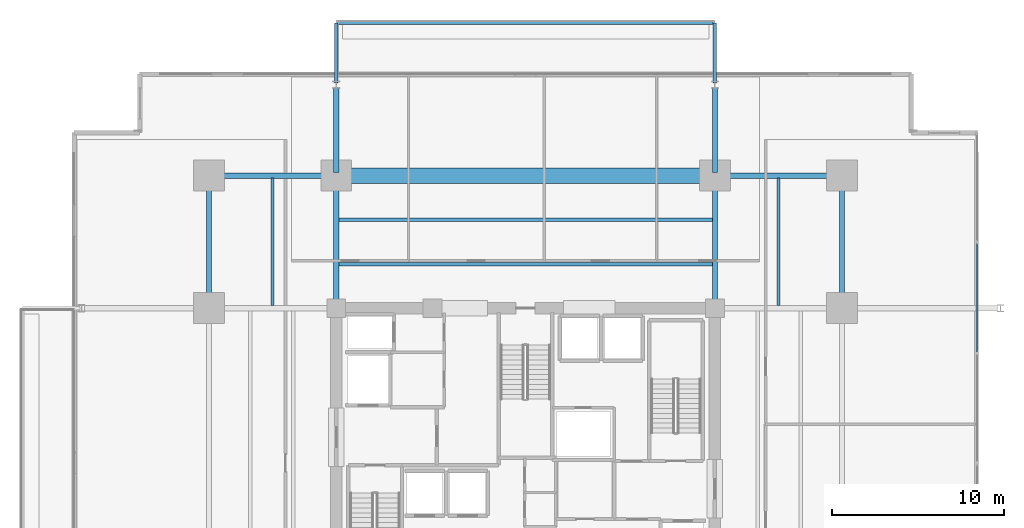
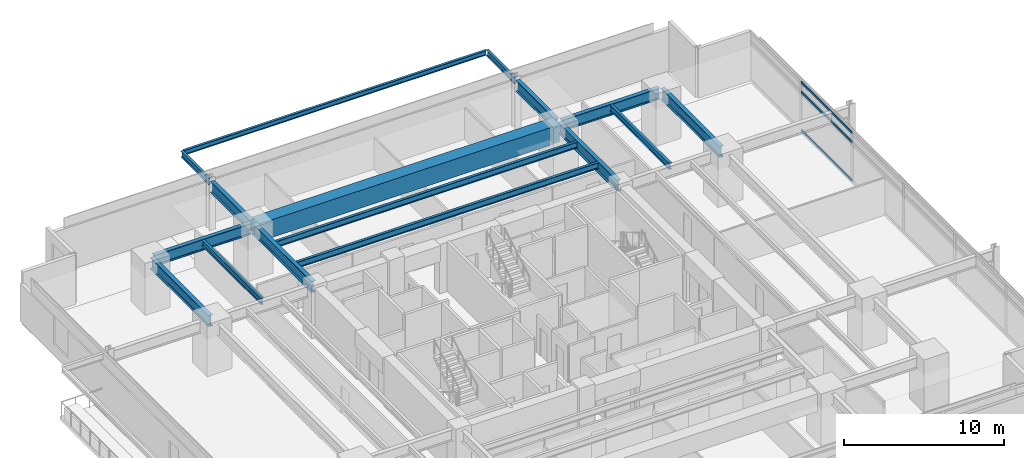
# One storey, part 10 of 22: 16 beams, 3 members, 1 element without a shape of its own.
"""IFC4 building model written with IfcOpenShell, lengths in metres."""

from ifc_helpers import new_model, si_unit, direction, frame, origin, origin_2d, place, context, subcontext, project, spatial, rectangle, hollow_rectangle, i_section, extrude, material, material_profile, profile_set, type_object, element, aggregate, save


model = new_model("IFC4")

# Units and contexts
model_context = context("Model", 3, precision=1e-05, world=origin(), true_north=direction((0.0, 1.0)))
body_context = subcontext(model_context, "Body", "Model", "MODEL_VIEW")
ifc_project = project(units=[si_unit("LENGTHUNIT", "METRE"), si_unit("AREAUNIT", "SQUARE_METRE"), si_unit("VOLUMEUNIT", "CUBIC_METRE"), si_unit("PLANEANGLEUNIT", "RADIAN"), si_unit("MASSUNIT", "GRAM", prefix="KILO")], contexts=[model_context])

# Site, building, storey
site_placement = place(None, origin())
site = spatial("IfcSite", under=ifc_project, at=site_placement, CompositionType="ELEMENT")
building_placement = place(site_placement, origin())
building = spatial("IfcBuilding", under=site, at=building_placement, Name="Kovane Verandah Tower", CompositionType="ELEMENT")
storey_placement = place(building_placement, frame((0.0, 0.0, 79.60009765625)))
storey = spatial("IfcBuildingStorey", under=building, at=storey_placement, Name="L18", CompositionType="ELEMENT", Elevation=79.60009765625)

# Beams
ifc_material_1 = material(Name="Concrete C80/95", Category="concrete")
ifc_material_profile_1 = material_profile(ifc_material_1, rectangle(XDim=0.89990234375, YDim=1.35009765625, at=origin_2d()), Name="RCB900x1350")
ifc_profile_set_1 = profile_set([ifc_material_profile_1], Name="Concrete C80/95")
beam_type_1 = type_object("IfcBeamType", Name="BM-TR-900x1350", PredefinedType="BEAM", material=ifc_profile_set_1)
beam_1_placement = place(storey_placement, frame((29.179931640625, 44.199951171875, 3.0849609375), z_axis=(1.0, 0.0, 0.0), x_axis=(0.0, 1.0, 0.0)))
element("IfcBeam", 1, at=beam_1_placement, inside=storey, type_object=beam_type_1, Name="L18 Primary Tower Girder G-RN2", PredefinedType="BEAM", context=body_context, shape_type="SweptSolid", body=[
    extrude(rectangle(XDim=0.89990234375, YDim=1.35009765625, at=origin_2d()), origin(), (0.0, 0.0, 1.0), 21.64013671875),
])
ifc_material_2 = material(Name="Steel S355", Category="steel")
ifc_material_profile_2 = material_profile(ifc_material_2, i_section(OverallWidth=0.293701171875, OverallDepth=0.850830078125, WebThickness=0.01611328125, FlangeThickness=0.02685546875, FilletRadius=0.017822265625, at=origin_2d()), Name="UB838x292x226")
ifc_profile_set_2 = profile_set([ifc_material_profile_2], Name="Steel S355")
beam_type_2 = type_object("IfcBeamType", Name="BM-UB838x226", PredefinedType="BEAM", material=ifc_profile_set_2)
for number, where, z_axis, x_axis, name in (
    (2, (21.780029296875, 44.199951171875, 3.33447265625), (1.0, 0.0, 0.0), (0.0, 1.0, 0.0), "L18 Primary Tower Girder G-RN1"),
    (3, (51.179931640625, 44.199951171875, 3.33447265625), (1.0, 0.0, 0.0), (0.0, 1.0, 0.0), "L18 Primary Tower Girder G-RN3"),
):
    element("IfcBeam", number, at=place(storey_placement, frame(where, z_axis=z_axis, x_axis=x_axis)), inside=storey, type_object=beam_type_2, Name=name, PredefinedType="BEAM", context=body_context, shape_type="SweptSolid", body=[
        extrude(i_section(OverallWidth=0.293701171875, OverallDepth=0.850830078125, WebThickness=0.01611328125, FlangeThickness=0.02685546875, FilletRadius=0.017822265625, at=origin_2d()), origin(), (0.0, 0.0, 1.0), 7.0400390625),
    ])
for number, where, z_axis, x_axis, name in (
    (4, (21.60009765625, 36.679931640625, 3.33447265625), (0.0, 1.0, 0.0), (-1.0, 0.0, 0.0), "L18 Primary Tower Girder G-RW3"),
    (5, (58.39990234375, 36.679931640625, 3.33447265625), (0.0, 1.0, 0.0), (-1.0, 0.0, 0.0), "L18 Primary Tower Girder G-RE3"),
    (6, (29.0, 36.679931640625, 3.33447265625), (0.0, 1.0, 0.0), (-1.0, 0.0, 0.0), "L18 Primary Tower Girder G-N1"),
    (7, (51.0, 36.679931640625, 3.33447265625), (0.0, 1.0, 0.0), (-1.0, 0.0, 0.0), "L18 Primary Tower Girder G-N2"),
):
    element("IfcBeam", number, at=place(storey_placement, frame(where, z_axis=z_axis, x_axis=x_axis)), inside=storey, type_object=beam_type_2, Name=name, PredefinedType="BEAM", context=body_context, shape_type="SweptSolid", body=[
        extrude(i_section(OverallWidth=0.293701171875, OverallDepth=0.850830078125, WebThickness=0.01611328125, FlangeThickness=0.02685546875, FilletRadius=0.017822265625, at=origin_2d()), origin(), (0.0, 0.0, 1.0), 7.340087890625),
    ])
for number, where, z_axis, x_axis, name in (
    (8, (29.0, 44.3798828125, 3.33447265625), (0.0, 1.0, 0.0), (-1.0, 0.0, 0.0), "L18 Primary Tower Girder G-VN1"),
    (9, (51.0, 44.3798828125, 3.33447265625), (0.0, 1.0, 0.0), (-1.0, 0.0, 0.0), "L18 Primary Tower Girder G-VN2"),
):
    element("IfcBeam", number, at=place(storey_placement, frame(where, z_axis=z_axis, x_axis=x_axis)), inside=storey, type_object=beam_type_2, Name=name, PredefinedType="BEAM", context=body_context, shape_type="SweptSolid", body=[
        extrude(i_section(OverallWidth=0.293701171875, OverallDepth=0.850830078125, WebThickness=0.01611328125, FlangeThickness=0.02685546875, FilletRadius=0.017822265625, at=origin_2d()), origin(), (0.0, 0.0, 1.0), 4.940185546875),
    ])

# Curtain wall, members
ifc_material_3 = material(Name="Champagne Anodised Aluminium Frame with Low-E Clear Laminated Glass", Category="aluminium")
curtain_wall_type = type_object("IfcCurtainWallType", Name="CW-SYS-02-LOW", PredefinedType="NOTDEFINED", material=ifc_material_3)
curtain_wall_placement = place(storey_placement, origin())
curtain_wall = element("IfcCurtainWall", 10, at=curtain_wall_placement, inside=storey, type_object=curtain_wall_type, Name="L18 E Unitised Curtain Wall", PredefinedType="NOTDEFINED")
ifc_material_4 = material(Name="Champagne Anodised Aluminium 6063-T6", Category="aluminium")
ifc_material_profile_3 = material_profile(ifc_material_4, hollow_rectangle(XDim=0.0849609375, YDim=0.18994140625, WallThickness=0.00390625, at=origin_2d()), Name="AL85x190x4")
ifc_profile_set_3 = profile_set([ifc_material_profile_3], Name="Champagne Anodised Aluminium 6063-T6")
member_type = type_object("IfcMemberType", Name="CW-TRN-85x190", PredefinedType="USERDEFINED", material=ifc_profile_set_3)
member_1_placement = place(storey_placement, frame((66.228759765625, 33.949951171875, 0.0498046875), z_axis=(0.0, 1.0, 0.0), x_axis=(-1.0, 0.0, 0.0)))
member_1 = element("IfcMember", 11, at=member_1_placement, type_object=member_type, Name="L18 E Unitised Curtain Wall Transom TB Bay 5", ObjectType="TRANSOM", PredefinedType="USERDEFINED", context=body_context, shape_type="SweptSolid", body=[
    extrude(hollow_rectangle(XDim=0.0849609375, YDim=0.18994140625, WallThickness=0.00390625, at=origin_2d()), origin(), (0.0, 0.0, 1.0), 6.300048828125),
])
member_2_placement = place(storey_placement, frame((66.228759765625, 33.949951171875, 2.97998046875), z_axis=(0.0, 1.0, 0.0), x_axis=(-1.0, 0.0, 0.0)))
member_2 = element("IfcMember", 12, at=member_2_placement, type_object=member_type, Name="L18 E Unitised Curtain Wall Transom TM Bay 5", ObjectType="TRANSOM", PredefinedType="USERDEFINED", context=body_context, shape_type="SweptSolid", body=[
    extrude(hollow_rectangle(XDim=0.0849609375, YDim=0.18994140625, WallThickness=0.00390625, at=origin_2d()), origin(), (0.0, 0.0, 1.0), 6.300048828125),
])
member_3_placement = place(storey_placement, frame((66.228759765625, 33.949951171875, 3.7099609375), z_axis=(0.0, 1.0, 0.0), x_axis=(-1.0, 0.0, 0.0)))
member_3 = element("IfcMember", 13, at=member_3_placement, type_object=member_type, Name="L18 E Unitised Curtain Wall Transom TT Bay 5", ObjectType="TRANSOM", PredefinedType="USERDEFINED", context=body_context, shape_type="SweptSolid", body=[
    extrude(hollow_rectangle(XDim=0.0849609375, YDim=0.18994140625, WallThickness=0.00390625, at=origin_2d()), origin(), (0.0, 0.0, 1.0), 6.300048828125),
])
aggregate(curtain_wall, [member_1, member_2, member_3])

# Beams
ifc_material_profile_4 = material_profile(ifc_material_2, i_section(OverallWidth=0.19287109375, OverallDepth=0.46728515625, WebThickness=0.011474609375, FlangeThickness=0.01953125, FilletRadius=0.01025390625, at=origin_2d()), Name="UB457x191x98")
ifc_profile_set_4 = profile_set([ifc_material_profile_4], Name="Steel S355")
beam_type_3 = type_object("IfcBeamType", Name="JST-UB457x98", PredefinedType="JOIST", material=ifc_profile_set_4)
for number, where, z_axis, x_axis, name in (
    (14, (29.14501953125, 39.050048828125, 3.5263671875), (1.0, 0.0, 0.0), (0.0, 1.0, 0.0), "L18 Secondary Composite Joist J-N1"),
    (15, (29.14501953125, 41.64990234375, 3.5263671875), (1.0, 0.0, 0.0), (0.0, 1.0, 0.0), "L18 Secondary Composite Joist J-N2"),
):
    element("IfcBeam", number, at=place(storey_placement, frame(where, z_axis=z_axis, x_axis=x_axis)), inside=storey, type_object=beam_type_3, Name=name, PredefinedType="JOIST", context=body_context, shape_type="SweptSolid", body=[
        extrude(i_section(OverallWidth=0.19287109375, OverallDepth=0.46728515625, WebThickness=0.011474609375, FlangeThickness=0.01953125, FilletRadius=0.01025390625, at=origin_2d()), origin(), (0.0, 0.0, 1.0), 21.7099609375),
    ])
for number, where, z_axis, x_axis, name in (
    (16, (25.300048828125, 36.64501953125, 3.5263671875), (0.0, 1.0, 0.0), (-1.0, 0.0, 0.0), "L18 Secondary Composite Joist J-NW1"),
    (17, (54.699951171875, 36.64501953125, 3.5263671875), (0.0, 1.0, 0.0), (-1.0, 0.0, 0.0), "L18 Secondary Composite Joist J-NE1"),
):
    element("IfcBeam", number, at=place(storey_placement, frame(where, z_axis=z_axis, x_axis=x_axis)), inside=storey, type_object=beam_type_3, Name=name, PredefinedType="JOIST", context=body_context, shape_type="SweptSolid", body=[
        extrude(i_section(OverallWidth=0.19287109375, OverallDepth=0.46728515625, WebThickness=0.011474609375, FlangeThickness=0.01953125, FilletRadius=0.01025390625, at=origin_2d()), origin(), (0.0, 0.0, 1.0), 7.41015625),
    ])
for number, where, z_axis, x_axis, name in (
    (18, (29.0, 49.580078125, 3.5263671875), (0.0, 1.0, 0.0), (-1.0, 0.0, 0.0), "L18 North Planter Girder 1"),
    (19, (51.0, 49.580078125, 3.5263671875), (0.0, 1.0, 0.0), (-1.0, 0.0, 0.0), "L18 North Planter Girder 2"),
):
    element("IfcBeam", number, at=place(storey_placement, frame(where, z_axis=z_axis, x_axis=x_axis)), inside=storey, type_object=beam_type_3, Name=name, PredefinedType="JOIST", context=body_context, shape_type="SweptSolid", body=[
        extrude(i_section(OverallWidth=0.19287109375, OverallDepth=0.46728515625, WebThickness=0.011474609375, FlangeThickness=0.01953125, FilletRadius=0.01025390625, at=origin_2d()), origin(), (0.0, 0.0, 1.0), 3.509033203125),
    ])
ifc_material_profile_5 = material_profile(ifc_material_2, i_section(OverallWidth=0.173095703125, OverallDepth=0.36328125, WebThickness=0.009033203125, FlangeThickness=0.015625, FilletRadius=0.01025390625, at=origin_2d()), Name="UB356x171x67")
ifc_profile_set_5 = profile_set([ifc_material_profile_5], Name="Steel S355")
beam_type_4 = type_object("IfcBeamType", Name="SPD-UB356x67", PredefinedType="USERDEFINED", material=ifc_profile_set_5)
beam_2_placement = place(storey_placement, frame((29.094482421875, 53.089111328125, 3.578125), z_axis=(1.0, 0.0, 0.0), x_axis=(0.0, 1.0, 0.0)))
element("IfcBeam", 20, at=beam_2_placement, inside=storey, type_object=beam_type_4, Name="L18 North Planter Edge Spandrel", ObjectType="SPANDREL", PredefinedType="USERDEFINED", context=body_context, shape_type="SweptSolid", body=[
    extrude(i_section(OverallWidth=0.173095703125, OverallDepth=0.36328125, WebThickness=0.009033203125, FlangeThickness=0.015625, FilletRadius=0.01025390625, at=origin_2d()), origin(), (0.0, 0.0, 1.0), 21.81103515625),
])

save(model, "model.ifc")
